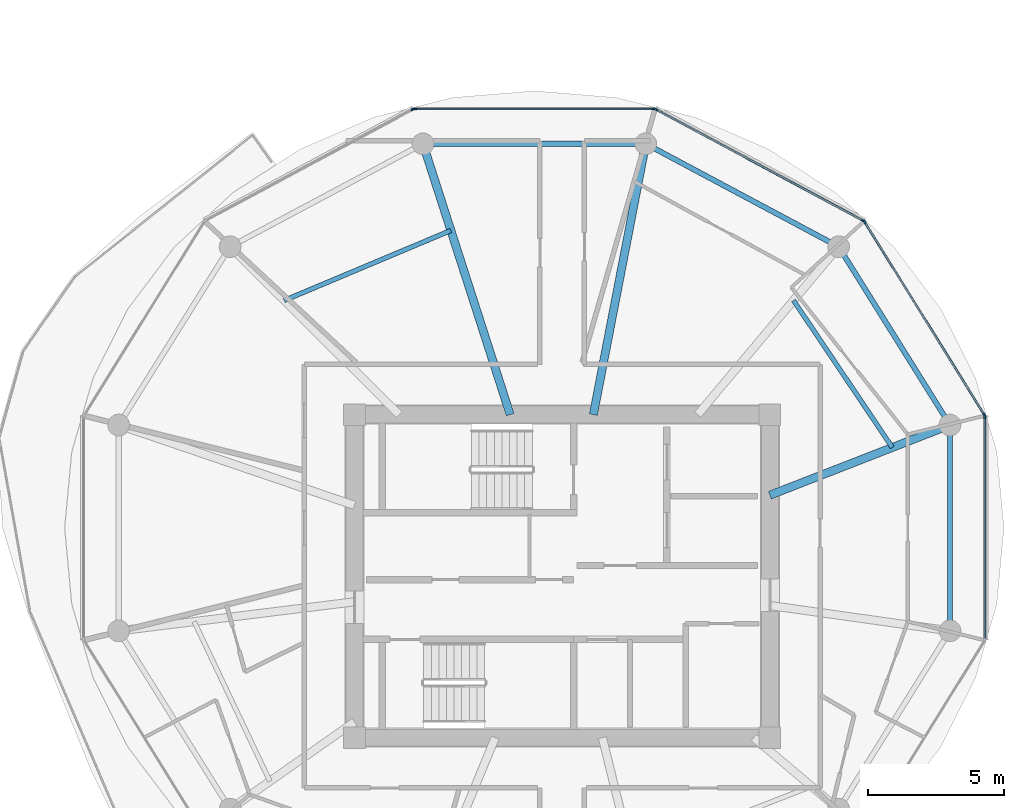
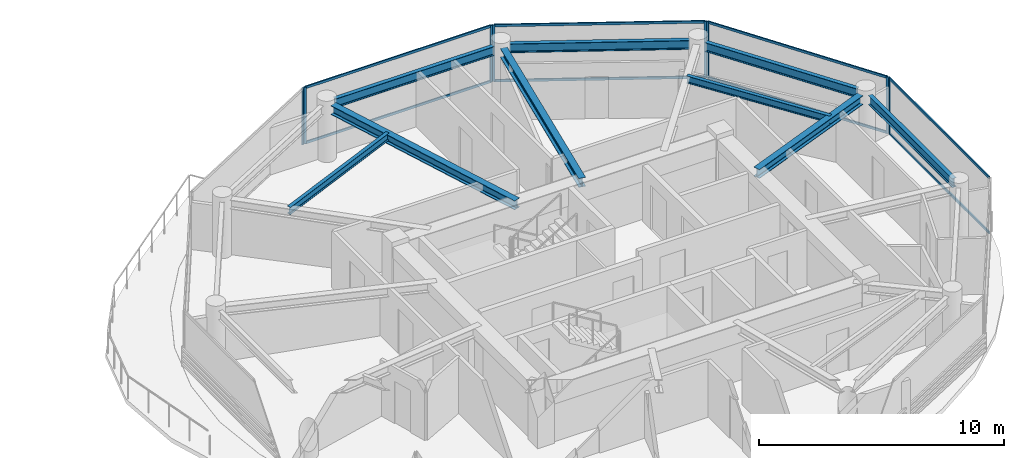
# One storey, part 11 of 21: 16 members, 9 beams, 5 elements without a shape of their own.
"""IFC4 building model written with IfcOpenShell, lengths in metres."""

from ifc_helpers import new_model, si_unit, direction, frame, origin, origin_2d, place, context, subcontext, project, spatial, rectangle, i_section, extrude, source, transform, mapped, material, layer, layer_set, material_profile, profile_set, type_object, type_shapes, element, aggregate, save


model = new_model("IFC4")

# Units and contexts
model_context = context("Model", 3, precision=1e-05, world=origin(), true_north=direction((0.0, 1.0)))
body_context = subcontext(model_context, "Body", "Model", "MODEL_VIEW")
ifc_project = project(units=[si_unit("LENGTHUNIT", "METRE"), si_unit("AREAUNIT", "SQUARE_METRE"), si_unit("VOLUMEUNIT", "CUBIC_METRE"), si_unit("PLANEANGLEUNIT", "RADIAN"), si_unit("MASSUNIT", "GRAM", prefix="KILO")], contexts=[model_context])

# Site, building, storey
site_placement = place(None, origin())
site = spatial("IfcSite", under=ifc_project, at=site_placement, CompositionType="ELEMENT")
building_placement = place(site_placement, origin())
building = spatial("IfcBuilding", under=site, at=building_placement, Name="Norrkilde Senior Care Towers", CompositionType="ELEMENT")
storey_placement = place(building_placement, frame((0.0, 0.0, 140.39990234375)))
storey = spatial("IfcBuildingStorey", under=building, at=storey_placement, Name="L43", CompositionType="ELEMENT", Elevation=140.39990234375)

# Beams
ifc_material_1 = material(Name="Steel S355", Category="steel")
ifc_material_profile_1 = material_profile(ifc_material_1, i_section(OverallWidth=0.18994140625, OverallDepth=0.449951171875, WebThickness=0.009521484375, FlangeThickness=0.0146484375, FilletRadius=0.02099609375, at=origin_2d()), Name="IPE 450")
ifc_profile_set_1 = profile_set([ifc_material_profile_1], Name="Steel S355")
beam_type_1 = type_object("IfcBeamType", Name="Perimeter Ring Spandrel Z3 IPE450", PredefinedType="SPANDREL", material=ifc_profile_set_1)
shared_shape_1 = source(origin(), body_context, "Body", "SweptSolid", [
    extrude(i_section(OverallWidth=0.18994140625, OverallDepth=0.449951171875, WebThickness=0.009521484375, FlangeThickness=0.0146484375, FilletRadius=0.02099609375, at=origin_2d()), origin(), (0.0, 0.0, 1.0), 7.0234375),
])
beam_1_placement = place(storey_placement, frame((42.09423828125, 5.872314453125, 2.585205078125), z_axis=(-0.529789577822, 0.848129119433, 0.0), x_axis=(-0.848129119433, -0.529789577822, 0.0)))
element("IfcBeam", 1, at=beam_1_placement, inside=storey, type_object=beam_type_1, Name="L43 Drum E Perimeter Spandrel 01", PredefinedType="SPANDREL", context=body_context, shape_type="MappedRepresentation", body=[
    mapped(shared_shape_1, transform((0.0, 0.0, 0.0), x_axis=(1.0, 0.0, 0.0), y_axis=(0.0, 1.0, 0.0), z_axis=(0.0, 0.0, 1.0), scale=1.0)),
])
shared_shape_2 = source(origin(), body_context, "Body", "SweptSolid", [
    extrude(i_section(OverallWidth=0.18994140625, OverallDepth=0.449951171875, WebThickness=0.009521484375, FlangeThickness=0.0146484375, FilletRadius=0.02099609375, at=origin_2d()), origin(), (0.0, 0.0, 1.0), 7.333740234375),
])
beam_2_placement = place(storey_placement, frame((37.864990234375, 12.303955078125, 2.585205078125), z_axis=(-0.882247866069, 0.470785198172, 0.0), x_axis=(-0.470785198172, -0.882247866069, 0.0)))
element("IfcBeam", 2, at=beam_2_placement, inside=storey, type_object=beam_type_1, Name="L43 Drum E Perimeter Spandrel 02", PredefinedType="SPANDREL", context=body_context, shape_type="MappedRepresentation", body=[
    mapped(shared_shape_2, transform((0.0, 0.0, 0.0), x_axis=(1.0, 0.0, 0.0), y_axis=(0.0, 1.0, 0.0), z_axis=(0.0, 0.0, 1.0), scale=1.0)),
])
shared_shape_3 = source(origin(), body_context, "Body", "SweptSolid", [
    extrude(i_section(OverallWidth=0.18994140625, OverallDepth=0.449951171875, WebThickness=0.009521484375, FlangeThickness=0.0146484375, FilletRadius=0.02099609375, at=origin_2d()), origin(), (0.0, 0.0, 1.0), 7.484619140625),
])
beam_3_placement = place(storey_placement, frame((30.71728515625, 15.92626953125, 2.585205078125), z_axis=(-1.0, 0.0, 0.0), x_axis=(0.0, -1.0, 0.0)))
element("IfcBeam", 3, at=beam_3_placement, inside=storey, type_object=beam_type_1, Name="L43 Drum E Perimeter Spandrel 03", PredefinedType="SPANDREL", context=body_context, shape_type="MappedRepresentation", body=[
    mapped(shared_shape_3, transform((0.0, 0.0, 0.0), x_axis=(1.0, 0.0, 0.0), y_axis=(0.0, 1.0, 0.0), z_axis=(0.0, 0.0, 1.0), scale=1.0)),
])
ifc_material_profile_2 = material_profile(ifc_material_1, i_section(OverallWidth=0.300048828125, OverallDepth=0.449951171875, WebThickness=0.013916015625, FlangeThickness=0.02587890625, FilletRadius=0.027099609375, at=origin_2d()), Name="HEB 450")
ifc_profile_set_2 = profile_set([ifc_material_profile_2], Name="Steel S355")
beam_type_2 = type_object("IfcBeamType", Name="Radial Floor Beam Z3 HEB450", PredefinedType="BEAM", material=ifc_profile_set_2)
shared_shape_4 = source(origin(), body_context, "Body", "SweptSolid", [
    extrude(i_section(OverallWidth=0.300048828125, OverallDepth=0.449951171875, WebThickness=0.013916015625, FlangeThickness=0.02587890625, FilletRadius=0.027099609375, at=origin_2d()), origin(), (0.0, 0.0, 1.0), 10.120361328125),
])
beam_4_placement = place(storey_placement, frame((26.08447265625, 5.949951171875, 2.585205078125), z_axis=(-0.306440973744, 0.951889662519, 0.0), x_axis=(-0.951889662519, -0.306440973744, 0.0)))
element("IfcBeam", 4, at=beam_4_placement, inside=storey, type_object=beam_type_2, Name="L43 Drum E Radial Floor Beam 04", PredefinedType="BEAM", context=body_context, shape_type="MappedRepresentation", body=[
    mapped(shared_shape_4, transform((0.0, 0.0, 0.0), x_axis=(1.0, 0.0, 0.0), y_axis=(0.0, 1.0, 0.0), z_axis=(0.0, 0.0, 1.0), scale=1.0)),
])
shared_shape_5 = source(origin(), body_context, "Body", "SweptSolid", [
    extrude(i_section(OverallWidth=0.300048828125, OverallDepth=0.449951171875, WebThickness=0.013916015625, FlangeThickness=0.02587890625, FilletRadius=0.027099609375, at=origin_2d()), origin(), (0.0, 0.0, 1.0), 9.80078125),
])
beam_5_placement = place(storey_placement, frame((29.149658203125, 5.949951171875, 2.585205078125), z_axis=(0.189716727661, 0.98183886827, 0.0), x_axis=(-0.98183886827, 0.189716727661, 0.0)))
element("IfcBeam", 5, at=beam_5_placement, inside=storey, type_object=beam_type_2, Name="L43 Drum E Radial Floor Beam 03", PredefinedType="BEAM", context=body_context, shape_type="MappedRepresentation", body=[
    mapped(shared_shape_5, transform((0.0, 0.0, 0.0), x_axis=(1.0, 0.0, 0.0), y_axis=(0.0, 1.0, 0.0), z_axis=(0.0, 0.0, 1.0), scale=1.0)),
])
shared_shape_6 = source(origin(), body_context, "Body", "SweptSolid", [
    extrude(i_section(OverallWidth=0.18994140625, OverallDepth=0.449951171875, WebThickness=0.009521484375, FlangeThickness=0.0146484375, FilletRadius=0.02099609375, at=origin_2d()), origin(), (0.0, 0.0, 1.0), 6.86328125),
])
type_shapes(beam_type_1, [shared_shape_1, shared_shape_2, shared_shape_3, shared_shape_6])
beam_6_placement = place(storey_placement, frame((42.284912109375, -1.65625, 2.585205078125), z_axis=(0.0, 1.0, 0.0), x_axis=(-1.0, 0.0, 0.0)))
element("IfcBeam", 6, at=beam_6_placement, inside=storey, type_object=beam_type_1, Name="L43 Drum E Perimeter Spandrel 12", PredefinedType="SPANDREL", context=body_context, shape_type="MappedRepresentation", body=[
    mapped(shared_shape_6, transform((0.0, 0.0, 0.0), x_axis=(1.0, 0.0, 0.0), y_axis=(0.0, 1.0, 0.0), z_axis=(0.0, 0.0, 1.0), scale=1.0)),
])
shared_shape_7 = source(origin(), body_context, "Body", "SweptSolid", [
    extrude(i_section(OverallWidth=0.300048828125, OverallDepth=0.449951171875, WebThickness=0.013916015625, FlangeThickness=0.02587890625, FilletRadius=0.027099609375, at=origin_2d()), origin(), (0.0, 0.0, 1.0), 6.760986328125),
])
type_shapes(beam_type_2, [shared_shape_4, shared_shape_5, shared_shape_7])
beam_7_placement = place(storey_placement, frame((35.64990234375, 2.981201171875, 2.585205078125), z_axis=(0.931742171387, 0.363120539297, 0.0), x_axis=(-0.363120539297, 0.931742171387, 0.0)))
element("IfcBeam", 7, at=beam_7_placement, inside=storey, type_object=beam_type_2, Name="L43 Drum E Radial Floor Beam 01", PredefinedType="BEAM", context=body_context, shape_type="MappedRepresentation", body=[
    mapped(shared_shape_7, transform((0.0, 0.0, 0.0), x_axis=(1.0, 0.0, 0.0), y_axis=(0.0, 1.0, 0.0), z_axis=(0.0, 0.0, 1.0), scale=1.0)),
])
ifc_material_profile_3 = material_profile(ifc_material_1, i_section(OverallWidth=0.169921875, OverallDepth=0.360107421875, WebThickness=0.008056640625, FlangeThickness=0.0126953125, FilletRadius=0.01806640625, at=origin_2d()), Name="IPE 360")
ifc_profile_set_3 = profile_set([ifc_material_profile_3], Name="Steel S355")
beam_type_3 = type_object("IfcBeamType", Name="Secondary Floor Joist IPE360", PredefinedType="JOIST", material=ifc_profile_set_3)
shared_shape_8 = source(origin(), body_context, "Body", "SweptSolid", [
    extrude(i_section(OverallWidth=0.169921875, OverallDepth=0.360107421875, WebThickness=0.008056640625, FlangeThickness=0.0126953125, FilletRadius=0.01806640625, at=origin_2d()), origin(), (0.0, 0.0, 1.0), 6.657470703125),
])
beam_8_placement = place(storey_placement, frame((23.900390625, 12.73388671875, 2.630126953125), z_axis=(-0.921958799252, -0.387287971, 0.0), x_axis=(0.387287971, -0.921958799252, 0.0)))
element("IfcBeam", 8, at=beam_8_placement, inside=storey, type_object=beam_type_3, Name="L43 Drum E Secondary Floor Joist 2", PredefinedType="JOIST", context=body_context, shape_type="MappedRepresentation", body=[
    mapped(shared_shape_8, transform((0.0, 0.0, 0.0), x_axis=(1.0, 0.0, 0.0), y_axis=(0.0, 1.0, 0.0), z_axis=(0.0, 0.0, 1.0), scale=1.0)),
])
shared_shape_9 = source(origin(), body_context, "Body", "SweptSolid", [
    extrude(i_section(OverallWidth=0.169921875, OverallDepth=0.360107421875, WebThickness=0.008056640625, FlangeThickness=0.0126953125, FilletRadius=0.01806640625, at=origin_2d()), origin(), (0.0, 0.0, 1.0), 6.525390625),
])
type_shapes(beam_type_3, [shared_shape_8, shared_shape_9])
beam_9_placement = place(storey_placement, frame((40.161865234375, 4.739501953125, 2.630126953125), z_axis=(-0.55779590102, 0.829978152005, 0.0), x_axis=(-0.829978152005, -0.55779590102, 0.0)))
element("IfcBeam", 9, at=beam_9_placement, inside=storey, type_object=beam_type_3, Name="L43 Drum E Secondary Floor Joist 1", PredefinedType="JOIST", context=body_context, shape_type="MappedRepresentation", body=[
    mapped(shared_shape_9, transform((0.0, 0.0, 0.0), x_axis=(1.0, 0.0, 0.0), y_axis=(0.0, 1.0, 0.0), z_axis=(0.0, 0.0, 1.0), scale=1.0)),
])

# Curtain wall, members
ifc_material_2 = material(Name="Triple Low-E Insulated Glazing", Category="glass")
ifc_layer = layer(ifc_material_2, 0.18994140625)
ifc_layer_set = layer_set([ifc_layer], Name="Triple Low-E Insulated Glazing")
curtain_wall_type = type_object("IfcCurtainWallType", Name="CW4 Zone 3 Senior Residence Curtain Wall", PredefinedType="NOTDEFINED", material=ifc_layer_set)
curtain_wall_1_placement = place(storey_placement, origin())
curtain_wall_1 = element("IfcCurtainWall", 10, at=curtain_wall_1_placement, inside=storey, type_object=curtain_wall_type, Name="L43 Drum E Curtain Wall 00", PredefinedType="NOTDEFINED")
ifc_material_3 = material(Name="Anodised Aluminium", Category="aluminium")
ifc_material_profile_4 = material_profile(ifc_material_3, rectangle(XDim=0.06494140625, YDim=0.14990234375, at=origin_2d()), Name="ALU MULL 65x150")
ifc_profile_set_4 = profile_set([ifc_material_profile_4], Name="Anodised Aluminium")
member_type_1 = type_object("IfcMemberType", Name="Curtain Wall Mullion Z3-Z4 65x150", PredefinedType="MULLION", material=ifc_profile_set_4)
shared_shape_10 = source(origin(), body_context, "Body", "SweptSolid", [
    extrude(rectangle(XDim=0.06494140625, YDim=0.14990234375, at=origin_2d()), origin(), (0.0, 0.0, 1.0), 2.81005859375),
])
type_shapes(member_type_1, [shared_shape_10])
member_1_placement = place(storey_placement, frame((39.14013671875, 13.04736328125, 0.0), z_axis=(0.0, 0.0, 1.0), x_axis=(0.84963405474, 0.52737270789, 0.0)))
member_1 = element("IfcMember", 11, at=member_1_placement, type_object=member_type_1, Name="CW-4 mullion 1", PredefinedType="MULLION", context=body_context, shape_type="MappedRepresentation", body=[
    mapped(shared_shape_10, transform((0.0, 0.0, 0.0), x_axis=(1.0, 0.0, 0.0), y_axis=(0.0, 1.0, 0.0), z_axis=(0.0, 0.0, 1.0), scale=1.0)),
])
member_2_placement = place(storey_placement, frame((43.552490234375, 5.93896484375, 0.0), z_axis=(0.0, 0.0, 1.0), x_axis=(0.84963405474, 0.52737270789, 0.0)))
member_2 = element("IfcMember", 12, at=member_2_placement, type_object=member_type_1, Name="CW-4 mullion 2", PredefinedType="MULLION", context=body_context, shape_type="MappedRepresentation", body=[
    mapped(shared_shape_10, transform((0.0, 0.0, 0.0), x_axis=(1.0, 0.0, 0.0), y_axis=(0.0, 1.0, 0.0), z_axis=(0.0, 0.0, 1.0), scale=1.0)),
])

curtain_wall_2_placement = place(storey_placement, origin())
curtain_wall_2 = element("IfcCurtainWall", 13, at=curtain_wall_2_placement, inside=storey, type_object=curtain_wall_type, Name="L43 Drum E Curtain Wall 01", PredefinedType="NOTDEFINED")
member_3_placement = place(storey_placement, frame((31.4501953125, 17.195556640625, 0.0), z_axis=(0.0, 0.0, 1.0), x_axis=(0.47311715104, 0.880999524059, 0.0)))
member_3 = element("IfcMember", 14, at=member_3_placement, type_object=member_type_1, Name="CW-4 mullion 1", PredefinedType="MULLION", context=body_context, shape_type="MappedRepresentation", body=[
    mapped(shared_shape_10, transform((0.0, 0.0, 0.0), x_axis=(1.0, 0.0, 0.0), y_axis=(0.0, 1.0, 0.0), z_axis=(0.0, 0.0, 1.0), scale=1.0)),
])
member_4_placement = place(storey_placement, frame((39.094482421875, 13.09033203125, 0.0), z_axis=(0.0, 0.0, 1.0), x_axis=(0.47311715104, 0.880999524059, 0.0)))
member_4 = element("IfcMember", 15, at=member_4_placement, type_object=member_type_1, Name="CW-4 mullion 2", PredefinedType="MULLION", context=body_context, shape_type="MappedRepresentation", body=[
    mapped(shared_shape_10, transform((0.0, 0.0, 0.0), x_axis=(1.0, 0.0, 0.0), y_axis=(0.0, 1.0, 0.0), z_axis=(0.0, 0.0, 1.0), scale=1.0)),
])

curtain_wall_3_placement = place(storey_placement, origin())
curtain_wall_3 = element("IfcCurtainWall", 16, at=curtain_wall_3_placement, inside=storey, type_object=curtain_wall_type, Name="L43 Drum E Curtain Wall 02", PredefinedType="NOTDEFINED")
member_5_placement = place(storey_placement, frame((22.56103515625, 17.2109375, 0.0), z_axis=(0.0, 0.0, 1.0), x_axis=(0.0, 1.0, 0.0)))
member_5 = element("IfcMember", 17, at=member_5_placement, type_object=member_type_1, Name="CW-4 mullion 1", PredefinedType="MULLION", context=body_context, shape_type="MappedRepresentation", body=[
    mapped(shared_shape_10, transform((0.0, 0.0, 0.0), x_axis=(1.0, 0.0, 0.0), y_axis=(0.0, 1.0, 0.0), z_axis=(0.0, 0.0, 1.0), scale=1.0)),
])
member_6_placement = place(storey_placement, frame((31.388916015625, 17.2109375, 0.0), z_axis=(0.0, 0.0, 1.0), x_axis=(0.0, 1.0, 0.0)))
member_6 = element("IfcMember", 18, at=member_6_placement, type_object=member_type_1, Name="CW-4 mullion 2", PredefinedType="MULLION", context=body_context, shape_type="MappedRepresentation", body=[
    mapped(shared_shape_10, transform((0.0, 0.0, 0.0), x_axis=(1.0, 0.0, 0.0), y_axis=(0.0, 1.0, 0.0), z_axis=(0.0, 0.0, 1.0), scale=1.0)),
])

# Curtain wall, member
curtain_wall_4_placement = place(storey_placement, origin())
curtain_wall_4 = element("IfcCurtainWall", 19, at=curtain_wall_4_placement, inside=storey, type_object=curtain_wall_type, Name="L43 Drum E Curtain Wall 03", PredefinedType="NOTDEFINED")
member_7_placement = place(storey_placement, frame((22.499755859375, 17.195556640625, 0.0), z_axis=(0.0, 0.0, 1.0), x_axis=(-0.47311715104, 0.880999524059, 0.0)))
member_7 = element("IfcMember", 20, at=member_7_placement, type_object=member_type_1, Name="CW-4 mullion 2", PredefinedType="MULLION", context=body_context, shape_type="MappedRepresentation", body=[
    mapped(shared_shape_10, transform((0.0, 0.0, 0.0), x_axis=(1.0, 0.0, 0.0), y_axis=(0.0, 1.0, 0.0), z_axis=(0.0, 0.0, 1.0), scale=1.0)),
])
aggregate(curtain_wall_4, [member_7])

curtain_wall_5_placement = place(storey_placement, origin())
curtain_wall_5 = element("IfcCurtainWall", 21, at=curtain_wall_5_placement, inside=storey, type_object=curtain_wall_type, Name="L43 Drum E Curtain Wall 11", PredefinedType="NOTDEFINED")
member_8_placement = place(storey_placement, frame((43.569580078125, 5.878662109375, 0.0), z_axis=(0.0, 0.0, 1.0), x_axis=(1.0, 0.0, 0.0)))
member_8 = element("IfcMember", 22, at=member_8_placement, type_object=member_type_1, Name="CW-4 mullion 1", PredefinedType="MULLION", context=body_context, shape_type="MappedRepresentation", body=[
    mapped(shared_shape_10, transform((0.0, 0.0, 0.0), x_axis=(1.0, 0.0, 0.0), y_axis=(0.0, 1.0, 0.0), z_axis=(0.0, 0.0, 1.0), scale=1.0)),
])

# Member
ifc_material_profile_5 = material_profile(ifc_material_3, rectangle(XDim=0.06005859375, YDim=0.1201171875, at=origin_2d()), Name="ALU TRAN 60x120")
ifc_profile_set_5 = profile_set([ifc_material_profile_5], Name="Anodised Aluminium")
member_type_2 = type_object("IfcMemberType", Name="Curtain Wall Transom Typical 60x120", PredefinedType="USERDEFINED", material=ifc_profile_set_5)
shared_shape_11 = source(origin(), body_context, "Body", "SweptSolid", [
    extrude(rectangle(XDim=0.06005859375, YDim=0.1201171875, at=origin_2d()), origin(), (0.0, 0.0, 1.0), 8.301513671875),
])
member_9_placement = place(storey_placement, frame((39.157470703125, 13.019775390625, 0.030029296875), z_axis=(0.527368718394, -0.849636531029, 0.0), x_axis=(0.849636531029, 0.527368718394, 0.0)))
member_9 = element("IfcMember", 23, at=member_9_placement, type_object=member_type_2, Name="CW-4 transom 1.1", ObjectType="TRANSOM", PredefinedType="USERDEFINED", context=body_context, shape_type="MappedRepresentation", body=[
    mapped(shared_shape_11, transform((0.0, 0.0, 0.0), x_axis=(1.0, 0.0, 0.0), y_axis=(0.0, 1.0, 0.0), z_axis=(0.0, 0.0, 1.0), scale=1.0)),
])

member_10_placement = place(storey_placement, frame((39.157470703125, 13.019775390625, 2.780029296875), z_axis=(0.527368718394, -0.849636531029, 0.0), x_axis=(0.849636531029, 0.527368718394, 0.0)))
member_10 = element("IfcMember", 24, at=member_10_placement, type_object=member_type_2, Name="CW-4 transom 1.2", ObjectType="TRANSOM", PredefinedType="USERDEFINED", context=body_context, shape_type="MappedRepresentation", body=[
    mapped(shared_shape_11, transform((0.0, 0.0, 0.0), x_axis=(1.0, 0.0, 0.0), y_axis=(0.0, 1.0, 0.0), z_axis=(0.0, 0.0, 1.0), scale=1.0)),
])

aggregate(curtain_wall_1, [member_1, member_2, member_9, member_10])

shared_shape_12 = source(origin(), body_context, "Body", "SweptSolid", [
    extrude(rectangle(XDim=0.06005859375, YDim=0.1201171875, at=origin_2d()), origin(), (0.0, 0.0, 1.0), 8.762939453125),
])
member_11_placement = place(storey_placement, frame((22.593505859375, 17.2109375, 0.030029296875), z_axis=(1.0, 0.0, 0.0), x_axis=(0.0, 1.0, 0.0)))
member_11 = element("IfcMember", 25, at=member_11_placement, type_object=member_type_2, Name="CW-4 transom 1.1", ObjectType="TRANSOM", PredefinedType="USERDEFINED", context=body_context, shape_type="MappedRepresentation", body=[
    mapped(shared_shape_12, transform((0.0, 0.0, 0.0), x_axis=(1.0, 0.0, 0.0), y_axis=(0.0, 1.0, 0.0), z_axis=(0.0, 0.0, 1.0), scale=1.0)),
])

member_12_placement = place(storey_placement, frame((22.593505859375, 17.2109375, 2.780029296875), z_axis=(1.0, 0.0, 0.0), x_axis=(0.0, 1.0, 0.0)))
member_12 = element("IfcMember", 26, at=member_12_placement, type_object=member_type_2, Name="CW-4 transom 1.2", ObjectType="TRANSOM", PredefinedType="USERDEFINED", context=body_context, shape_type="MappedRepresentation", body=[
    mapped(shared_shape_12, transform((0.0, 0.0, 0.0), x_axis=(1.0, 0.0, 0.0), y_axis=(0.0, 1.0, 0.0), z_axis=(0.0, 0.0, 1.0), scale=1.0)),
])

aggregate(curtain_wall_3, [member_5, member_6, member_11, member_12])

shared_shape_13 = source(origin(), body_context, "Body", "SweptSolid", [
    extrude(rectangle(XDim=0.06005859375, YDim=0.1201171875, at=origin_2d()), origin(), (0.0, 0.0, 1.0), 8.612060546875),
])
member_13_placement = place(storey_placement, frame((31.478759765625, 17.18017578125, 0.030029296875), z_axis=(0.881000337462, -0.473115636384, 0.0), x_axis=(0.473115636384, 0.881000337462, 0.0)))
member_13 = element("IfcMember", 27, at=member_13_placement, type_object=member_type_2, Name="CW-4 transom 1.1", ObjectType="TRANSOM", PredefinedType="USERDEFINED", context=body_context, shape_type="MappedRepresentation", body=[
    mapped(shared_shape_13, transform((0.0, 0.0, 0.0), x_axis=(1.0, 0.0, 0.0), y_axis=(0.0, 1.0, 0.0), z_axis=(0.0, 0.0, 1.0), scale=1.0)),
])

member_14_placement = place(storey_placement, frame((31.478759765625, 17.18017578125, 2.780029296875), z_axis=(0.881000337462, -0.473115636384, 0.0), x_axis=(0.473115636384, 0.881000337462, 0.0)))
member_14 = element("IfcMember", 28, at=member_14_placement, type_object=member_type_2, Name="CW-4 transom 1.2", ObjectType="TRANSOM", PredefinedType="USERDEFINED", context=body_context, shape_type="MappedRepresentation", body=[
    mapped(shared_shape_13, transform((0.0, 0.0, 0.0), x_axis=(1.0, 0.0, 0.0), y_axis=(0.0, 1.0, 0.0), z_axis=(0.0, 0.0, 1.0), scale=1.0)),
])

aggregate(curtain_wall_2, [member_3, member_4, member_13, member_14])

shared_shape_14 = source(origin(), body_context, "Body", "SweptSolid", [
    extrude(rectangle(XDim=0.06005859375, YDim=0.1201171875, at=origin_2d()), origin(), (0.0, 0.0, 1.0), 8.141845703125),
])
type_shapes(member_type_2, [shared_shape_11, shared_shape_12, shared_shape_13, shared_shape_14])
member_15_placement = place(storey_placement, frame((43.569580078125, 5.84619140625, 0.030029296875), z_axis=(0.0, -1.0, 0.0), x_axis=(1.0, 0.0, 0.0)))
member_15 = element("IfcMember", 29, at=member_15_placement, type_object=member_type_2, Name="CW-4 transom 1.1", ObjectType="TRANSOM", PredefinedType="USERDEFINED", context=body_context, shape_type="MappedRepresentation", body=[
    mapped(shared_shape_14, transform((0.0, 0.0, 0.0), x_axis=(1.0, 0.0, 0.0), y_axis=(0.0, 1.0, 0.0), z_axis=(0.0, 0.0, 1.0), scale=1.0)),
])

member_16_placement = place(storey_placement, frame((43.569580078125, 5.84619140625, 2.780029296875), z_axis=(0.0, -1.0, 0.0), x_axis=(1.0, 0.0, 0.0)))
member_16 = element("IfcMember", 30, at=member_16_placement, type_object=member_type_2, Name="CW-4 transom 1.2", ObjectType="TRANSOM", PredefinedType="USERDEFINED", context=body_context, shape_type="MappedRepresentation", body=[
    mapped(shared_shape_14, transform((0.0, 0.0, 0.0), x_axis=(1.0, 0.0, 0.0), y_axis=(0.0, 1.0, 0.0), z_axis=(0.0, 0.0, 1.0), scale=1.0)),
])

aggregate(curtain_wall_5, [member_8, member_15, member_16])

save(model, "model.ifc")
